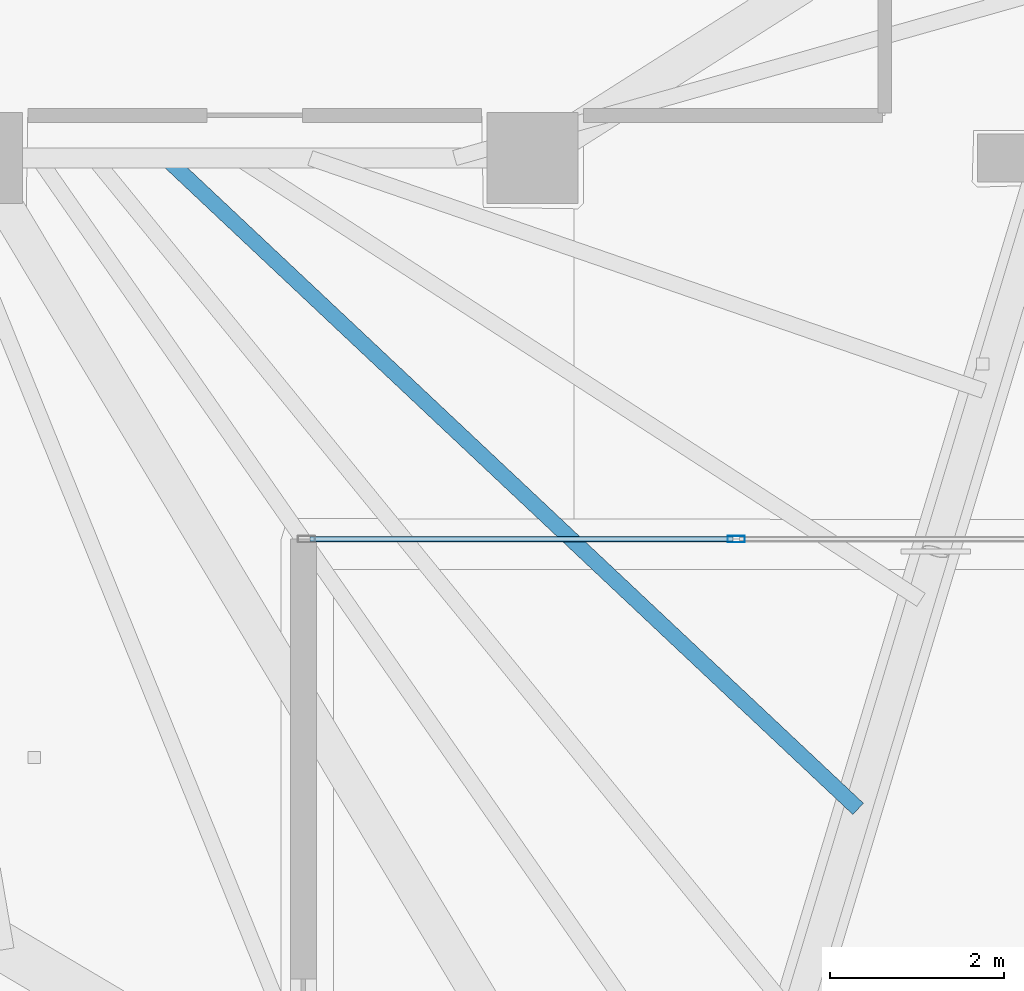
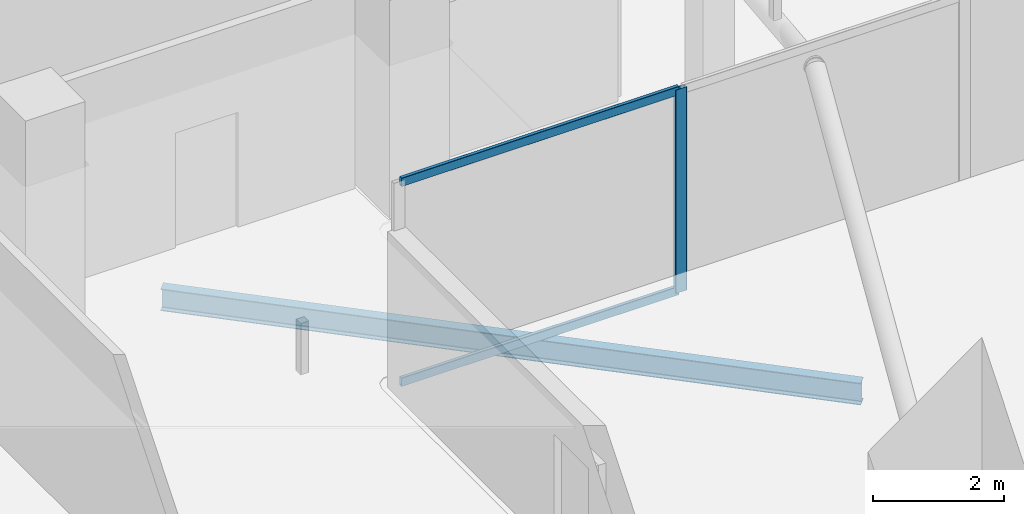
# One storey, part 9 of 38: 3 members, 1 beam, 1 element without a shape of its own.
"""IFC4 building model written with IfcOpenShell, lengths in metres."""

import ifcopenshell
import ifcopenshell.guid

model = None  # the IFC model being written
_history = None  # IfcOwnerHistory: only IFC2X3 demands one
_inside = {}  # id of a spatial element -> (the spatial element, [elements in it])
_under = {}  # id of a project, library or spatial element -> (it, [spatial elements below it])
_declared = {}  # id of a project -> (the project, [libraries it declares])
_typed = {}  # id of a type object -> (the type object, [elements of that type])
_made_of = {}  # id of a material, layer set ... -> (it, [elements and type objects made of it])


def new_model(schema):
    """Start an empty IFC model of exactly this schema.

    Asked for "IFC4X3", IfcOpenShell would pick the latest addendum, in which some entities
    have other attributes; the version numbers below select the first issue.
    IFC2X3 requires an IfcOwnerHistory on every rooted entity: one is made here for all.
    """
    global model, _history
    if schema == "IFC4X3":
        model = ifcopenshell.file(schema_version=(4, 3, 0, 0))
    else:
        model = ifcopenshell.file(schema=schema)
    _inside.clear()
    _under.clear()
    _declared.clear()
    _typed.clear()
    _made_of.clear()
    _history = None
    if model.schema == "IFC2X3":
        org = make("IfcOrganization", Name="unknown")
        user = make(
            "IfcPersonAndOrganization",
            ThePerson=make("IfcPerson", FamilyName="unknown"),
            TheOrganization=org,
        )
        app = make(
            "IfcApplication",
            ApplicationDeveloper=org,
            Version="unknown",
            ApplicationFullName="unknown",
            ApplicationIdentifier="unknown",
        )
        _history = make(
            "IfcOwnerHistory",
            OwningUser=user,
            OwningApplication=app,
            ChangeAction="ADDED",
            CreationDate=0,
        )
    return model


def make(cls, **values):
    """One entity of the class cls with the attributes given. An attribute that is None is left unset."""
    return model.create_entity(
        cls, **{name: value for name, value in values.items() if value is not None}
    )


def rooted(cls, **values):
    """An entity with a GlobalId (a new one), such as an element, a storey or a relation."""
    return make(cls, GlobalId=ifcopenshell.guid.new(), OwnerHistory=_history, **values)


def si_unit(unit_type, name, prefix=None):
    """IfcSIUnit, for example si_unit("LENGTHUNIT", "METRE", prefix="MILLI")."""
    return make("IfcSIUnit", UnitType=unit_type, Prefix=prefix, Name=name)


def assignment(units):
    """IfcUnitAssignment: the units of a project."""
    return None if units is None else make("IfcUnitAssignment", Units=units)


def point(xyz):
    """IfcCartesianPoint."""
    return None if xyz is None else make("IfcCartesianPoint", Coordinates=xyz)


def direction(xyz):
    """IfcDirection."""
    return None if xyz is None else make("IfcDirection", DirectionRatios=xyz)


def frame(location, z_axis=None, x_axis=None):
    """IfcAxis2Placement3D, a coordinate frame: its origin and axes. An axis left out is left unset."""
    return make(
        "IfcAxis2Placement3D",
        Location=point(location),
        Axis=direction(z_axis),
        RefDirection=direction(x_axis),
    )


def frame_2d(location, x_axis=None):
    """IfcAxis2Placement2D, a coordinate frame in the plane: its origin and x axis."""
    return make(
        "IfcAxis2Placement2D", Location=point(location), RefDirection=direction(x_axis)
    )


def origin():
    """The frame at (0, 0, 0) with its axes left unset."""
    return frame((0.0, 0.0, 0.0))


def origin_2d():
    """The frame at (0, 0) in the plane with its x axis left unset."""
    return frame_2d((0.0, 0.0))


def place(relative_to, where):
    """IfcLocalPlacement: puts the frame where relative to a parent placement (None: the world)."""
    return make(
        "IfcLocalPlacement", PlacementRelTo=relative_to, RelativePlacement=where
    )


def context(
    kind, dimensions, precision=None, world=None, true_north=None, identifier=None
):
    """IfcGeometricRepresentationContext, for example the 3D "Model" context."""
    return make(
        "IfcGeometricRepresentationContext",
        ContextIdentifier=identifier,
        ContextType=kind,
        CoordinateSpaceDimension=dimensions,
        Precision=precision,
        WorldCoordinateSystem=world,
        TrueNorth=true_north,
    )


def subcontext(parent, identifier, kind, view, scale=None):
    """IfcGeometricRepresentationSubContext, for example "Body" below "Model"."""
    return make(
        "IfcGeometricRepresentationSubContext",
        ContextIdentifier=identifier,
        ContextType=kind,
        ParentContext=parent,
        TargetScale=scale,
        TargetView=view,
    )


def project(units=None, contexts=None):
    """IfcProject with its units and contexts."""
    return rooted(
        "IfcProject",
        Name="project",
        RepresentationContexts=contexts,
        UnitsInContext=assignment(units),
    )


def spatial(cls, under=None, at=None, **own):
    """A site, building, storey or space (cls), placed at a placement, below another one or the project."""
    s = rooted(cls, ObjectPlacement=at, **own)
    if under is not None:
        _under.setdefault(under.id(), (under, []))[1].append(s)
    return s


def profile(cls, at=None, kind="AREA", **sizes):
    """A parametric profile (cls). Its sizes go by their IFC names, for example OverallWidth=200.0."""
    return make(cls, ProfileType=kind, Position=at, **sizes)


def hollow_rectangle(**sizes):
    """IfcRectangleHollowProfileDef."""
    return profile("IfcRectangleHollowProfileDef", **sizes)


def i_section(**sizes):
    """IfcIShapeProfileDef."""
    return profile("IfcIShapeProfileDef", **sizes)


def extrude(swept, where, along, depth):
    """IfcExtrudedAreaSolid: the profile swept, set in the frame where, extruded along a direction by depth."""
    return make(
        "IfcExtrudedAreaSolid",
        SweptArea=swept,
        Position=where,
        ExtrudedDirection=direction(along),
        Depth=depth,
    )


def shape(context_of_items, identifier, shape_type, items):
    """IfcShapeRepresentation: the items that make up one representation, for example the "Body"."""
    return make(
        "IfcShapeRepresentation",
        ContextOfItems=context_of_items,
        RepresentationIdentifier=identifier,
        RepresentationType=shape_type,
        Items=items,
    )


def material(Name=None, Category=None):
    """IfcMaterial."""
    return make("IfcMaterial", Name=Name, Category=Category)


def layer(
    of_material, thickness, ventilated=None, Name=None, Category=None, Priority=None
):
    """IfcMaterialLayer: one layer of a wall or slab, of a material (None: an air gap)."""
    return make(
        "IfcMaterialLayer",
        Material=of_material,
        LayerThickness=thickness,
        IsVentilated=ventilated,
        Name=Name,
        Category=Category,
        Priority=Priority,
    )


def layer_set(layers, Name=None):
    """IfcMaterialLayerSet."""
    return make("IfcMaterialLayerSet", MaterialLayers=layers, LayerSetName=Name)


def material_profile(
    of_material, cross_section, Name=None, Category=None, Priority=None
):
    """IfcMaterialProfile: a cross section and its material."""
    return make(
        "IfcMaterialProfile",
        Name=Name,
        Material=of_material,
        Profile=cross_section,
        Priority=Priority,
        Category=Category,
    )


def profile_set(profiles, Name=None, composite=None):
    """IfcMaterialProfileSet."""
    return make(
        "IfcMaterialProfileSet",
        Name=Name,
        MaterialProfiles=profiles,
        CompositeProfile=composite,
    )


def made_of(thing, what):
    """Note that an element or type object is made of a material, layer set ...; save() writes the relation."""
    if what is not None:
        _made_of.setdefault(what.id(), (what, []))[1].append(thing)
    return thing


def type_object(cls, material=None, **own):
    """A type object (cls), such as IfcWallType, which elements share."""
    return made_of(rooted(cls, **own), material)


def element(
    cls,
    number,
    at=None,
    inside=None,
    cuts=None,
    type_object=None,
    material=None,
    context=None,
    identifier="Body",
    shape_type=None,
    held_by="IfcProductDefinitionShape",
    body=None,
    shapes=None,
    **own,
):
    """One element of the class cls, such as IfcWall. Its Tag is "e" and its number.

    at: its placement. inside: the storey or other place that contains it. cuts: it is an
    opening in that element (IfcRelVoidsElement). A single representation is given by context,
    identifier, shape_type and body (its items); several are given by shapes. held_by: the class
    of the entity that holds the representations. save() writes the other relations.
    """
    e = rooted(cls, Tag="e%d" % number, ObjectPlacement=at, **own)
    if body is not None:
        shapes = [shape(context, identifier, shape_type, body)]
    if shapes is not None:
        e.Representation = make(held_by, Representations=shapes)
    if inside is not None:
        _inside.setdefault(inside.id(), (inside, []))[1].append(e)
    if cuts is not None:
        rooted(
            "IfcRelVoidsElement", RelatingBuildingElement=cuts, RelatedOpeningElement=e
        )
    if type_object is not None:
        _typed.setdefault(type_object.id(), (type_object, []))[1].append(e)
    return made_of(e, material)


def aggregate(whole, parts):
    """IfcRelAggregates: a whole, such as a stair, and the parts it consists of."""
    return rooted("IfcRelAggregates", RelatingObject=whole, RelatedObjects=parts)


def save(model, path):
    """Write the relations noted so far, then the file.

    IfcRelAggregates (storeys below a building ...), IfcRelContainedInSpatialStructure (elements
    in a storey), IfcRelDefinesByType, IfcRelAssociatesMaterial and IfcRelDeclares: one each for
    every whole, place, type object, material and project.
    """
    for whole, parts in _under.values():
        aggregate(whole, parts)
    for where, things in _inside.values():
        rooted(
            "IfcRelContainedInSpatialStructure",
            RelatedElements=things,
            RelatingStructure=where,
        )
    for kind, things in _typed.values():
        rooted("IfcRelDefinesByType", RelatedObjects=things, RelatingType=kind)
    for what, things in _made_of.values():
        rooted("IfcRelAssociatesMaterial", RelatedObjects=things, RelatingMaterial=what)
    for by, libraries in _declared.values():
        rooted("IfcRelDeclares", RelatingContext=by, RelatedDefinitions=libraries)
    model.write(path)


model = new_model("IFC4")

# Units and contexts
model_context = context("Model", 3, precision=1e-05, world=origin(), true_north=direction((0.0, 1.0)))
body_context = subcontext(model_context, "Body", "Model", "MODEL_VIEW")
ifc_project = project(units=[si_unit("LENGTHUNIT", "METRE"), si_unit("AREAUNIT", "SQUARE_METRE"), si_unit("VOLUMEUNIT", "CUBIC_METRE"), si_unit("PLANEANGLEUNIT", "RADIAN"), si_unit("MASSUNIT", "GRAM", prefix="KILO")], contexts=[model_context])

# Site, building, storey
site_placement = place(None, origin())
site = spatial("IfcSite", under=ifc_project, at=site_placement, CompositionType="ELEMENT")
building_placement = place(site_placement, origin())
building = spatial("IfcBuilding", under=site, at=building_placement, Name="Qorvath Tower", CompositionType="ELEMENT")
storey_placement = place(building_placement, frame((0.0, 0.0, 158.39990234375)))
storey = spatial("IfcBuildingStorey", under=building, at=storey_placement, Name="L36", CompositionType="ELEMENT", Elevation=158.39990234375)

# Beam
ifc_material_1 = material(Name="Steel ASTM A992 Grade 50", Category="steel")
ifc_material_profile_1 = material_profile(ifc_material_1, i_section(OverallWidth=0.177978515625, OverallDepth=0.406005859375, WebThickness=0.0078125, FlangeThickness=0.0126953125, FilletRadius=0.010986328125, at=origin_2d()), Name="W16x40")
ifc_profile_set_1 = profile_set([ifc_material_profile_1], Name="Steel ASTM A992 Grade 50")
beam_type = type_object("IfcBeamType", Name="BM-FJ3", PredefinedType="JOIST", material=ifc_profile_set_1)
beam_placement = place(storey_placement, frame((-21.424072265625, -11.449951171875, -0.472900390625), z_axis=(0.728572459091, -0.684968737866, 0.0), x_axis=(0.684968737866, 0.728572459091, 0.0)))
element("IfcBeam", 1, at=beam_placement, inside=storey, type_object=beam_type, Name="Composite Floor Joist SE5 L36", PredefinedType="JOIST", context=body_context, shape_type="SweptSolid", body=[
    extrude(i_section(OverallWidth=0.177978515625, OverallDepth=0.406005859375, WebThickness=0.0078125, FlangeThickness=0.0126953125, FilletRadius=0.010986328125, at=origin_2d()), origin(), (0.0, 0.0, 1.0), 10.9462890625),
])

# Curtain wall, members
ifc_material_2 = material(Name="Anodised aluminium and triple low-E glass", Category="aluminium")
ifc_layer = layer(ifc_material_2, 0.179931640625)
ifc_layer_set = layer_set([ifc_layer], Name="CW-SYS-5")
curtain_wall_type = type_object("IfcCurtainWallType", Name="CW-SYS-5", PredefinedType="NOTDEFINED", material=ifc_layer_set)
curtain_wall_placement = place(storey_placement, origin())
curtain_wall = element("IfcCurtainWall", 2, at=curtain_wall_placement, inside=storey, type_object=curtain_wall_type, Name="Curtain Wall CW-5 CW-T-L36-2.1", PredefinedType="NOTDEFINED")
ifc_material_3 = material(Name="Anodised aluminium 6063-T6", Category="aluminium")
ifc_material_profile_2 = material_profile(ifc_material_3, hollow_rectangle(XDim=0.074951171875, YDim=0.199951171875, WallThickness=0.00390625, InnerFilletRadius=0.00390625, OuterFilletRadius=0.008056640625, at=origin_2d()), Name="CWM 200x75")
ifc_profile_set_2 = profile_set([ifc_material_profile_2], Name="Anodised aluminium 6063-T6")
member_type_1 = type_object("IfcMemberType", Name="CWM-200", PredefinedType="MULLION", material=ifc_profile_set_2)
member_1_placement = place(storey_placement, frame((-14.853271484375, -15.840087890625, 0.0), z_axis=(0.0, 0.0, 1.0), x_axis=(0.0, 1.0, 0.0)))
member_1 = element("IfcMember", 3, at=member_1_placement, type_object=member_type_1, Name="CW-5 mullion 2", PredefinedType="MULLION", context=body_context, shape_type="SweptSolid", body=[
    extrude(hollow_rectangle(XDim=0.074951171875, YDim=0.199951171875, WallThickness=0.00390625, InnerFilletRadius=0.00390625, OuterFilletRadius=0.008056640625, at=origin_2d()), origin(), (0.0, 0.0, 1.0), 3.780029296875),
])
ifc_material_4 = material(Name="Anodised aluminium 6063-T6", Category="aluminium")
ifc_material_profile_3 = material_profile(ifc_material_4, hollow_rectangle(XDim=0.06494140625, YDim=0.159912109375, WallThickness=0.00341796875, InnerFilletRadius=0.00341796875, OuterFilletRadius=0.007080078125, at=origin_2d()), Name="CWT 160x65")
ifc_profile_set_3 = profile_set([ifc_material_profile_3], Name="Anodised aluminium 6063-T6")
member_type_2 = type_object("IfcMemberType", Name="CWT-160", PredefinedType="USERDEFINED", material=ifc_profile_set_3)
member_2_placement = place(storey_placement, frame((-19.76513671875, -15.840087890625, 0.032470703125), z_axis=(1.0, 0.0, 0.0), x_axis=(0.0, 1.0, 0.0)))
member_2 = element("IfcMember", 4, at=member_2_placement, type_object=member_type_2, Name="CW-5 transom 1.1", ObjectType="TRANSOM", PredefinedType="USERDEFINED", context=body_context, shape_type="SweptSolid", body=[
    extrude(hollow_rectangle(XDim=0.06494140625, YDim=0.159912109375, WallThickness=0.00341796875, InnerFilletRadius=0.00341796875, OuterFilletRadius=0.007080078125, at=origin_2d()), origin(), (0.0, 0.0, 1.0), 4.874267578125),
])
member_3_placement = place(storey_placement, frame((-19.76513671875, -15.840087890625, 3.74755859375), z_axis=(1.0, 0.0, 0.0), x_axis=(0.0, 1.0, 0.0)))
member_3 = element("IfcMember", 5, at=member_3_placement, type_object=member_type_2, Name="CW-5 transom 1.2", ObjectType="TRANSOM", PredefinedType="USERDEFINED", context=body_context, shape_type="SweptSolid", body=[
    extrude(hollow_rectangle(XDim=0.06494140625, YDim=0.159912109375, WallThickness=0.00341796875, InnerFilletRadius=0.00341796875, OuterFilletRadius=0.007080078125, at=origin_2d()), origin(), (0.0, 0.0, 1.0), 4.874267578125),
])
aggregate(curtain_wall, [member_1, member_2, member_3])

save(model, "model.ifc")
